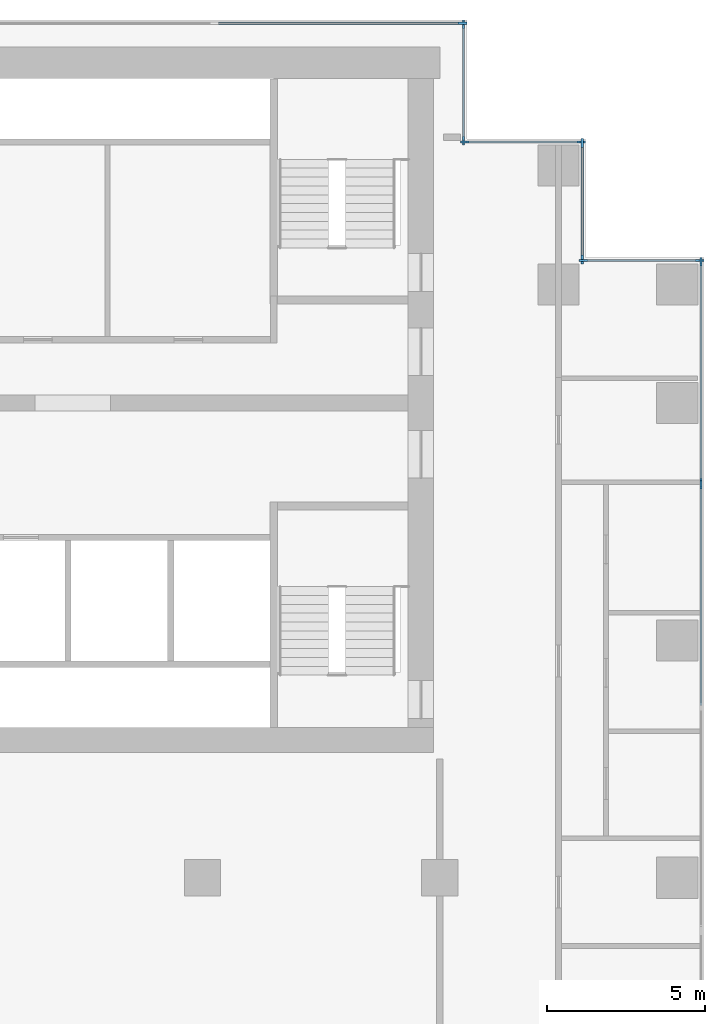
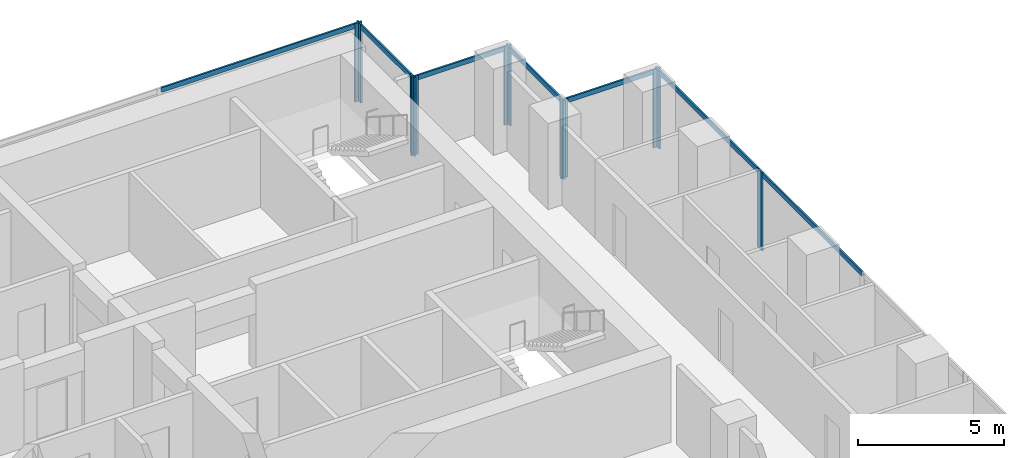
# One storey, part 5 of 11: 19 members, 7 elements without a shape of their own.
"""IFC4 building model written with IfcOpenShell, lengths in metres."""

from ifc_helpers import new_model, si_unit, direction, frame, origin, origin_2d, place, context, subcontext, project, spatial, rectangle, extrude, material, material_profile, profile_set, type_object, element, aggregate, save


model = new_model("IFC4")

# Units and contexts
model_context = context("Model", 3, precision=1e-05, world=origin(), true_north=direction((0.0, 1.0)))
body_context = subcontext(model_context, "Body", "Model", "MODEL_VIEW")
ifc_project = project(units=[si_unit("LENGTHUNIT", "METRE"), si_unit("AREAUNIT", "SQUARE_METRE"), si_unit("VOLUMEUNIT", "CUBIC_METRE"), si_unit("PLANEANGLEUNIT", "RADIAN"), si_unit("MASSUNIT", "GRAM", prefix="KILO")], contexts=[model_context])

# Site, building, storey
site_placement = place(None, origin())
site = spatial("IfcSite", under=ifc_project, at=site_placement, CompositionType="ELEMENT")
building_placement = place(site_placement, origin())
building = spatial("IfcBuilding", under=site, at=building_placement, Name="Pilkhan Gate Tower", CompositionType="ELEMENT")
storey_placement = place(building_placement, frame((0.0, 0.0, 121.60009765625)))
storey = spatial("IfcBuildingStorey", under=building, at=storey_placement, Name="L30", CompositionType="ELEMENT", Elevation=121.60009765625)

# Curtain wall, member
ifc_material_1 = material(Name="Pale anodised aluminium, clear low-iron double glazing", Category="aluminium")
curtain_wall_type = type_object("IfcCurtainWallType", Name="Office unitised curtain wall CW-O1", PredefinedType="USERDEFINED", material=ifc_material_1)
curtain_wall_1_placement = place(storey_placement, origin())
curtain_wall_1 = element("IfcCurtainWall", 1, at=curtain_wall_1_placement, inside=storey, type_object=curtain_wall_type, Name="Office unitised curtain wall CW-O1 L30 E", ObjectType="UNITISED CURTAIN WALL", PredefinedType="USERDEFINED")
ifc_material_2 = material(Name="Pale anodised aluminium", Category="aluminium")
ifc_material_profile_1 = material_profile(ifc_material_2, rectangle(XDim=0.070068359375, YDim=0.27490234375, at=origin_2d()), Name="Mullion 275x70")
ifc_profile_set_1 = profile_set([ifc_material_profile_1], Name="Pale anodised aluminium")
member_type_1 = type_object("IfcMemberType", Name="Mullion CW-O1 275x70", PredefinedType="MULLION", material=ifc_profile_set_1)
member_1_placement = place(storey_placement, frame((98.25, 79.9150390625, 0.0), z_axis=(0.0, 0.0, 1.0), x_axis=(-1.0, 0.0, 0.0)))
member_1 = element("IfcMember", 2, at=member_1_placement, type_object=member_type_1, Name="CW-O1 mullion 3", PredefinedType="MULLION", context=body_context, shape_type="SweptSolid", body=[
    extrude(rectangle(XDim=0.070068359375, YDim=0.27490234375, at=origin_2d()), origin(), (0.0, 0.0, 1.0), 3.2998046875),
])

# Curtain wall, members
curtain_wall_2_placement = place(storey_placement, origin())
curtain_wall_2 = element("IfcCurtainWall", 3, at=curtain_wall_2_placement, inside=storey, type_object=curtain_wall_type, Name="Office unitised curtain wall CW-O1 L30 E", ObjectType="UNITISED CURTAIN WALL", PredefinedType="USERDEFINED")
member_2_placement = place(storey_placement, frame((98.25, 79.985107421875, 0.0), z_axis=(0.0, 0.0, 1.0), x_axis=(-1.0, 0.0, 0.0)))
member_2 = element("IfcMember", 4, at=member_2_placement, type_object=member_type_1, Name="CW-O1 mullion 1", PredefinedType="MULLION", context=body_context, shape_type="SweptSolid", body=[
    extrude(rectangle(XDim=0.070068359375, YDim=0.27490234375, at=origin_2d()), origin(), (0.0, 0.0, 1.0), 3.2998046875),
])
member_3_placement = place(storey_placement, frame((98.25, 86.965087890625, 0.0), z_axis=(0.0, 0.0, 1.0), x_axis=(-1.0, 0.0, 0.0)))
member_3 = element("IfcMember", 5, at=member_3_placement, type_object=member_type_1, Name="CW-O1 mullion 2", PredefinedType="MULLION", context=body_context, shape_type="SweptSolid", body=[
    extrude(rectangle(XDim=0.070068359375, YDim=0.27490234375, at=origin_2d()), origin(), (0.0, 0.0, 1.0), 3.2998046875),
])

curtain_wall_3_placement = place(storey_placement, origin())
curtain_wall_3 = element("IfcCurtainWall", 6, at=curtain_wall_3_placement, inside=storey, type_object=curtain_wall_type, Name="Office unitised curtain wall CW-O1 L30 N", ObjectType="UNITISED CURTAIN WALL", PredefinedType="USERDEFINED")
member_4_placement = place(storey_placement, frame((94.534912109375, 87.0, 0.0), z_axis=(0.0, 0.0, 1.0), x_axis=(0.0, 1.0, 0.0)))
member_4 = element("IfcMember", 7, at=member_4_placement, type_object=member_type_1, Name="CW-O1 mullion 1", PredefinedType="MULLION", context=body_context, shape_type="SweptSolid", body=[
    extrude(rectangle(XDim=0.070068359375, YDim=0.27490234375, at=origin_2d()), origin(), (0.0, 0.0, 1.0), 3.2998046875),
])
member_5_placement = place(storey_placement, frame((98.215087890625, 87.0, 0.0), z_axis=(0.0, 0.0, 1.0), x_axis=(0.0, 1.0, 0.0)))
member_5 = element("IfcMember", 8, at=member_5_placement, type_object=member_type_1, Name="CW-O1 mullion 2", PredefinedType="MULLION", context=body_context, shape_type="SweptSolid", body=[
    extrude(rectangle(XDim=0.070068359375, YDim=0.27490234375, at=origin_2d()), origin(), (0.0, 0.0, 1.0), 3.2998046875),
])

curtain_wall_4_placement = place(storey_placement, origin())
curtain_wall_4 = element("IfcCurtainWall", 9, at=curtain_wall_4_placement, inside=storey, type_object=curtain_wall_type, Name="Office unitised curtain wall CW-O1 L30 E", ObjectType="UNITISED CURTAIN WALL", PredefinedType="USERDEFINED")
member_6_placement = place(storey_placement, frame((94.5, 87.034912109375, 0.0), z_axis=(0.0, 0.0, 1.0), x_axis=(-1.0, 0.0, 0.0)))
member_6 = element("IfcMember", 10, at=member_6_placement, type_object=member_type_1, Name="CW-O1 mullion 1", PredefinedType="MULLION", context=body_context, shape_type="SweptSolid", body=[
    extrude(rectangle(XDim=0.070068359375, YDim=0.27490234375, at=origin_2d()), origin(), (0.0, 0.0, 1.0), 3.2998046875),
])
member_7_placement = place(storey_placement, frame((94.5, 90.715087890625, 0.0), z_axis=(0.0, 0.0, 1.0), x_axis=(-1.0, 0.0, 0.0)))
member_7 = element("IfcMember", 11, at=member_7_placement, type_object=member_type_1, Name="CW-O1 mullion 2", PredefinedType="MULLION", context=body_context, shape_type="SweptSolid", body=[
    extrude(rectangle(XDim=0.070068359375, YDim=0.27490234375, at=origin_2d()), origin(), (0.0, 0.0, 1.0), 3.2998046875),
])

curtain_wall_5_placement = place(storey_placement, origin())
curtain_wall_5 = element("IfcCurtainWall", 12, at=curtain_wall_5_placement, inside=storey, type_object=curtain_wall_type, Name="Office unitised curtain wall CW-O1 L30 N", ObjectType="UNITISED CURTAIN WALL", PredefinedType="USERDEFINED")
member_8_placement = place(storey_placement, frame((90.784912109375, 90.75, 0.0), z_axis=(0.0, 0.0, 1.0), x_axis=(0.0, 1.0, 0.0)))
member_8 = element("IfcMember", 13, at=member_8_placement, type_object=member_type_1, Name="CW-O1 mullion 1", PredefinedType="MULLION", context=body_context, shape_type="SweptSolid", body=[
    extrude(rectangle(XDim=0.070068359375, YDim=0.27490234375, at=origin_2d()), origin(), (0.0, 0.0, 1.0), 3.2998046875),
])
member_9_placement = place(storey_placement, frame((94.465087890625, 90.75, 0.0), z_axis=(0.0, 0.0, 1.0), x_axis=(0.0, 1.0, 0.0)))
member_9 = element("IfcMember", 14, at=member_9_placement, type_object=member_type_1, Name="CW-O1 mullion 2", PredefinedType="MULLION", context=body_context, shape_type="SweptSolid", body=[
    extrude(rectangle(XDim=0.070068359375, YDim=0.27490234375, at=origin_2d()), origin(), (0.0, 0.0, 1.0), 3.2998046875),
])

curtain_wall_6_placement = place(storey_placement, origin())
curtain_wall_6 = element("IfcCurtainWall", 15, at=curtain_wall_6_placement, inside=storey, type_object=curtain_wall_type, Name="Office unitised curtain wall CW-O1 L30 E", ObjectType="UNITISED CURTAIN WALL", PredefinedType="USERDEFINED")
member_10_placement = place(storey_placement, frame((90.75, 90.784912109375, 0.0), z_axis=(0.0, 0.0, 1.0), x_axis=(-1.0, 0.0, 0.0)))
member_10 = element("IfcMember", 16, at=member_10_placement, type_object=member_type_1, Name="CW-O1 mullion 1", PredefinedType="MULLION", context=body_context, shape_type="SweptSolid", body=[
    extrude(rectangle(XDim=0.070068359375, YDim=0.27490234375, at=origin_2d()), origin(), (0.0, 0.0, 1.0), 3.2998046875),
])
member_11_placement = place(storey_placement, frame((90.75, 94.465087890625, 0.0), z_axis=(0.0, 0.0, 1.0), x_axis=(-1.0, 0.0, 0.0)))
member_11 = element("IfcMember", 17, at=member_11_placement, type_object=member_type_1, Name="CW-O1 mullion 2", PredefinedType="MULLION", context=body_context, shape_type="SweptSolid", body=[
    extrude(rectangle(XDim=0.070068359375, YDim=0.27490234375, at=origin_2d()), origin(), (0.0, 0.0, 1.0), 3.2998046875),
])

# Curtain wall, member
curtain_wall_7_placement = place(storey_placement, origin())
curtain_wall_7 = element("IfcCurtainWall", 18, at=curtain_wall_7_placement, inside=storey, type_object=curtain_wall_type, Name="Office unitised curtain wall CW-O1 L30 N", ObjectType="UNITISED CURTAIN WALL", PredefinedType="USERDEFINED")
member_12_placement = place(storey_placement, frame((90.715087890625, 94.5, 0.0), z_axis=(0.0, 0.0, 1.0), x_axis=(0.0, 1.0, 0.0)))
member_12 = element("IfcMember", 19, at=member_12_placement, type_object=member_type_1, Name="CW-O1 mullion 3", PredefinedType="MULLION", context=body_context, shape_type="SweptSolid", body=[
    extrude(rectangle(XDim=0.070068359375, YDim=0.27490234375, at=origin_2d()), origin(), (0.0, 0.0, 1.0), 3.2998046875),
])

# Member
ifc_material_profile_2 = material_profile(ifc_material_2, rectangle(XDim=0.070068359375, YDim=0.199951171875, at=origin_2d()), Name="Transom 200x70")
ifc_profile_set_2 = profile_set([ifc_material_profile_2], Name="Pale anodised aluminium")
member_type_2 = type_object("IfcMemberType", Name="Transom CW-O1 200x70", PredefinedType="USERDEFINED", material=ifc_profile_set_2)
member_13_placement = place(storey_placement, frame((98.25, 72.93505859375, 3.199951171875), z_axis=(0.0, 1.0, 0.0), x_axis=(-1.0, 0.0, 0.0)))
member_13 = element("IfcMember", 20, at=member_13_placement, type_object=member_type_2, Name="CW-O1 transom 2", ObjectType="TRANSOM", PredefinedType="USERDEFINED", context=body_context, shape_type="SweptSolid", body=[
    extrude(rectangle(XDim=0.070068359375, YDim=0.199951171875, at=origin_2d()), origin(), (0.0, 0.0, 1.0), 6.94482421875),
])

aggregate(curtain_wall_1, [member_1, member_13])

member_14_placement = place(storey_placement, frame((98.25, 80.02001953125, 3.199951171875), z_axis=(0.0, 1.0, 0.0), x_axis=(-1.0, 0.0, 0.0)))
member_14 = element("IfcMember", 21, at=member_14_placement, type_object=member_type_2, Name="CW-O1 transom 1", ObjectType="TRANSOM", PredefinedType="USERDEFINED", context=body_context, shape_type="SweptSolid", body=[
    extrude(rectangle(XDim=0.070068359375, YDim=0.199951171875, at=origin_2d()), origin(), (0.0, 0.0, 1.0), 6.909912109375),
])

aggregate(curtain_wall_2, [member_2, member_3, member_14])

member_15_placement = place(storey_placement, frame((94.570068359375, 87.0, 3.199951171875), z_axis=(1.0, 0.0, 0.0), x_axis=(0.0, 1.0, 0.0)))
member_15 = element("IfcMember", 22, at=member_15_placement, type_object=member_type_2, Name="CW-O1 transom 1", ObjectType="TRANSOM", PredefinedType="USERDEFINED", context=body_context, shape_type="SweptSolid", body=[
    extrude(rectangle(XDim=0.070068359375, YDim=0.199951171875, at=origin_2d()), origin(), (0.0, 0.0, 1.0), 3.60986328125),
])

aggregate(curtain_wall_3, [member_4, member_5, member_15])

member_16_placement = place(storey_placement, frame((94.5, 87.070068359375, 3.199951171875), z_axis=(0.0, 1.0, 0.0), x_axis=(-1.0, 0.0, 0.0)))
member_16 = element("IfcMember", 23, at=member_16_placement, type_object=member_type_2, Name="CW-O1 transom 1", ObjectType="TRANSOM", PredefinedType="USERDEFINED", context=body_context, shape_type="SweptSolid", body=[
    extrude(rectangle(XDim=0.070068359375, YDim=0.199951171875, at=origin_2d()), origin(), (0.0, 0.0, 1.0), 3.60986328125),
])

aggregate(curtain_wall_4, [member_6, member_7, member_16])

member_17_placement = place(storey_placement, frame((90.820068359375, 90.75, 3.199951171875), z_axis=(1.0, 0.0, 0.0), x_axis=(0.0, 1.0, 0.0)))
member_17 = element("IfcMember", 24, at=member_17_placement, type_object=member_type_2, Name="CW-O1 transom 1", ObjectType="TRANSOM", PredefinedType="USERDEFINED", context=body_context, shape_type="SweptSolid", body=[
    extrude(rectangle(XDim=0.070068359375, YDim=0.199951171875, at=origin_2d()), origin(), (0.0, 0.0, 1.0), 3.60986328125),
])

aggregate(curtain_wall_5, [member_8, member_9, member_17])

member_18_placement = place(storey_placement, frame((90.75, 90.820068359375, 3.199951171875), z_axis=(0.0, 1.0, 0.0), x_axis=(-1.0, 0.0, 0.0)))
member_18 = element("IfcMember", 25, at=member_18_placement, type_object=member_type_2, Name="CW-O1 transom 1", ObjectType="TRANSOM", PredefinedType="USERDEFINED", context=body_context, shape_type="SweptSolid", body=[
    extrude(rectangle(XDim=0.070068359375, YDim=0.199951171875, at=origin_2d()), origin(), (0.0, 0.0, 1.0), 3.60986328125),
])

aggregate(curtain_wall_6, [member_10, member_11, member_18])

member_19_placement = place(storey_placement, frame((82.909912109375, 94.5, 3.199951171875), z_axis=(1.0, 0.0, 0.0), x_axis=(0.0, 1.0, 0.0)))
member_19 = element("IfcMember", 26, at=member_19_placement, type_object=member_type_2, Name="CW-O1 transom 2", ObjectType="TRANSOM", PredefinedType="USERDEFINED", context=body_context, shape_type="SweptSolid", body=[
    extrude(rectangle(XDim=0.070068359375, YDim=0.199951171875, at=origin_2d()), origin(), (0.0, 0.0, 1.0), 7.77001953125),
])

aggregate(curtain_wall_7, [member_12, member_19])

save(model, "model.ifc")
